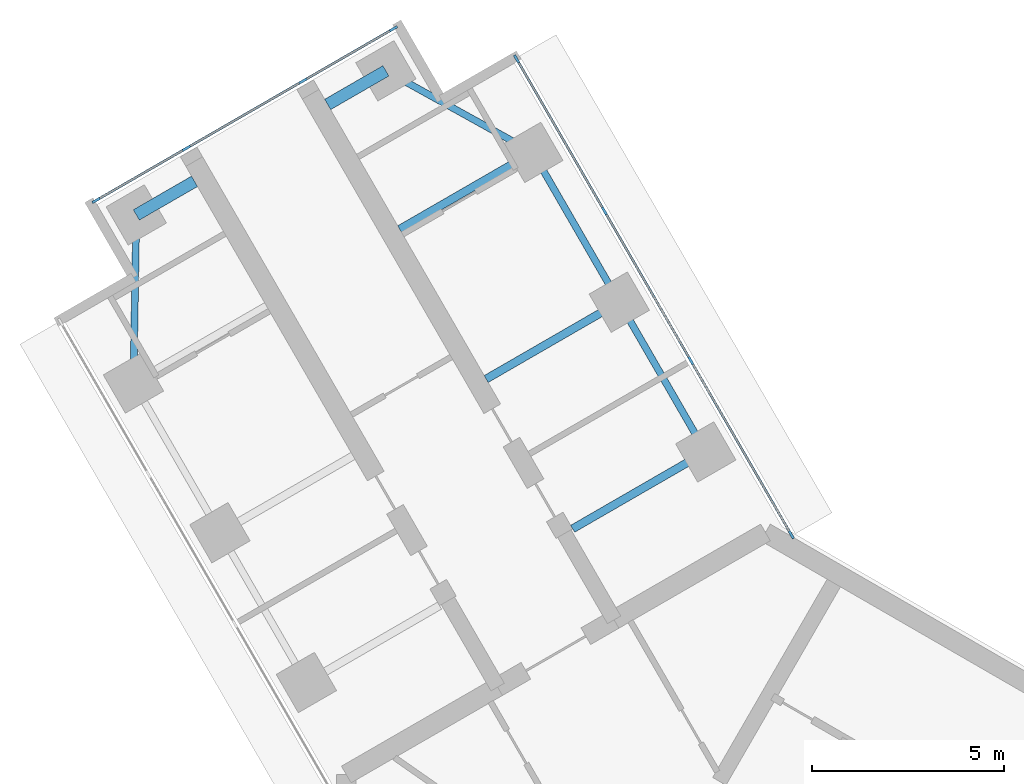
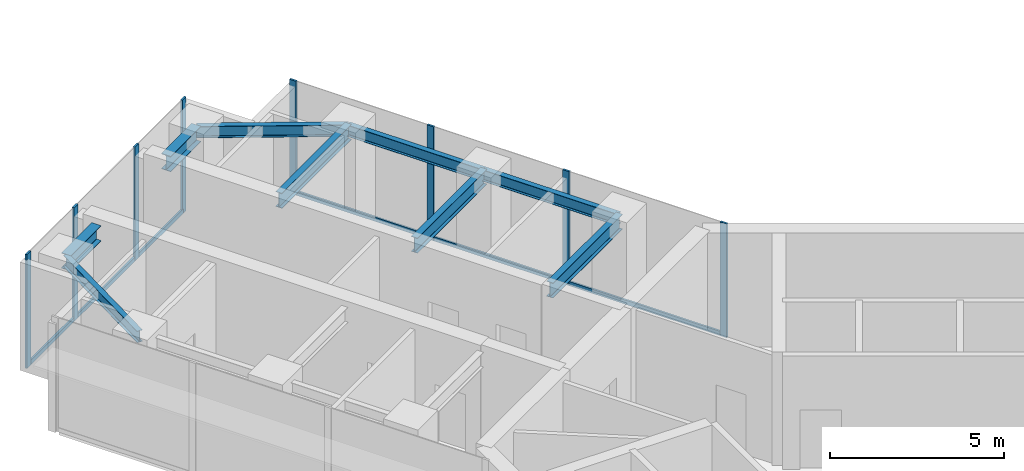
# One storey, part 6 of 17: 14 members, 9 beams, 2 elements without a shape of their own.
"""IFC4 building model written with IfcOpenShell, lengths in metres."""

from ifc_helpers import new_model, si_unit, direction, frame, origin, origin_2d, place, context, subcontext, project, spatial, rectangle, i_section, extrude, material, material_profile, profile_set, type_object, element, aggregate, save


model = new_model("IFC4")

# Units and contexts
model_context = context("Model", 3, precision=1e-05, world=origin(), true_north=direction((0.0, 1.0)))
body_context = subcontext(model_context, "Body", "Model", "MODEL_VIEW")
ifc_project = project(units=[si_unit("LENGTHUNIT", "METRE"), si_unit("AREAUNIT", "SQUARE_METRE"), si_unit("VOLUMEUNIT", "CUBIC_METRE"), si_unit("PLANEANGLEUNIT", "RADIAN"), si_unit("MASSUNIT", "GRAM", prefix="KILO")], contexts=[model_context])

# Site, building, storey
site_placement = place(None, origin())
site = spatial("IfcSite", under=ifc_project, at=site_placement, CompositionType="ELEMENT")
building_placement = place(site_placement, origin())
building = spatial("IfcBuilding", under=site, at=building_placement, Name="Upepo Twin Towers", CompositionType="ELEMENT")
storey_placement = place(building_placement, frame((0.0, 0.0, 206.5)))
storey = spatial("IfcBuildingStorey", under=building, at=storey_placement, Name="L50", CompositionType="ELEMENT", Elevation=206.5)

# Beams
ifc_material_1 = material(Name="Steel S355", Category="steel")
ifc_material_profile_1 = material_profile(ifc_material_1, i_section(OverallWidth=0.177978515625, OverallDepth=0.406494140625, WebThickness=0.0078125, FlangeThickness=0.0126953125, FilletRadius=0.01025390625, at=origin_2d()), Name="UB 406x178x60")
ifc_profile_set_1 = profile_set([ifc_material_profile_1], Name="Steel S355")
beam_type_1 = type_object("IfcBeamType", Name="Beam UB 406x178x60", PredefinedType="BEAM", material=ifc_profile_set_1)
beam_1_placement = place(storey_placement, frame((-16.446044921875, 16.485595703125, 3.5966796875), z_axis=(0.016803880528, 0.999858804832, 0.0), x_axis=(-0.999858804832, 0.016803880528, 0.0)))
element("IfcBeam", 1, at=beam_1_placement, inside=storey, type_object=beam_type_1, Name="T1 nose edge beam BL", PredefinedType="BEAM", context=body_context, shape_type="SweptSolid", body=[
    extrude(i_section(OverallWidth=0.177978515625, OverallDepth=0.406494140625, WebThickness=0.0078125, FlangeThickness=0.0126953125, FilletRadius=0.01025390625, at=origin_2d()), origin(), (0.0, 0.0, 1.0), 4.373291015625),
])
beam_2_placement = place(storey_placement, frame((-1.553955078125, 14.69140625, 3.5966796875), z_axis=(-0.500013631625, 0.866017533419, 0.0), x_axis=(-0.866017533419, -0.500013631625, 0.0)))
element("IfcBeam", 2, at=beam_2_placement, inside=storey, type_object=beam_type_1, Name="T1 edge beam BR 13.5-18.0", PredefinedType="BEAM", context=body_context, shape_type="SweptSolid", body=[
    extrude(i_section(OverallWidth=0.177978515625, OverallDepth=0.406494140625, WebThickness=0.0078125, FlangeThickness=0.0126953125, FilletRadius=0.01025390625, at=origin_2d()), origin(), (0.0, 0.0, 1.0), 4.499755859375),
])
beam_3_placement = place(storey_placement, frame((-3.803955078125, 18.58837890625, 3.5966796875), z_axis=(-0.499990139034, 0.866031096941, 0.0), x_axis=(-0.866031096941, -0.499990139034, 0.0)))
element("IfcBeam", 3, at=beam_3_placement, inside=storey, type_object=beam_type_1, Name="T1 edge beam BR 18.0-22.5", PredefinedType="BEAM", context=body_context, shape_type="SweptSolid", body=[
    extrude(i_section(OverallWidth=0.177978515625, OverallDepth=0.406494140625, WebThickness=0.0078125, FlangeThickness=0.0126953125, FilletRadius=0.01025390625, at=origin_2d()), origin(), (0.0, 0.0, 1.0), 4.5),
])
beam_4_placement = place(storey_placement, frame((-6.053955078125, 22.485595703125, 3.5966796875), z_axis=(-0.874312600038, 0.485363242752, 0.0), x_axis=(-0.485363242752, -0.874312600038, 0.0)))
element("IfcBeam", 4, at=beam_4_placement, inside=storey, type_object=beam_type_1, Name="T1 nose edge beam BR", PredefinedType="BEAM", context=body_context, shape_type="SweptSolid", body=[
    extrude(i_section(OverallWidth=0.177978515625, OverallDepth=0.406494140625, WebThickness=0.0078125, FlangeThickness=0.0126953125, FilletRadius=0.01025390625, at=origin_2d()), origin(), (0.0, 0.0, 1.0), 4.373046875),
])
ifc_material_2 = material(Name="Steel S355", Category="steel")
ifc_material_profile_2 = material_profile(ifc_material_2, i_section(OverallWidth=0.209228515625, OverallDepth=0.533203125, WebThickness=0.010009765625, FlangeThickness=0.015625, FilletRadius=0.0126953125, at=origin_2d()), Name="UB 533x210x92")
ifc_profile_set_2 = profile_set([ifc_material_profile_2], Name="Steel S355")
beam_type_2 = type_object("IfcBeamType", Name="Beam UB 533x210x92", PredefinedType="BEAM", material=ifc_profile_set_2)
for number, where, z_axis, x_axis, name in (
    (5, (-1.553955078125, 14.69140625, 3.533447265625), (-0.866026010844, -0.49999894854, 0.0), (0.49999894854, -0.866026010844, 0.0), "T1 girder BR at 13.5"),
    (6, (-3.803955078125, 18.58837890625, 3.533447265625), (-0.866026010844, -0.49999894854, 0.0), (0.49999894854, -0.866026010844, 0.0), "T1 girder BR at 18.0"),
    (7, (-6.053955078125, 22.485595703125, 3.533447265625), (-0.866026010844, -0.49999894854, 0.0), (0.49999894854, -0.866026010844, 0.0), "T1 girder BR at 22.5"),
):
    element("IfcBeam", number, at=place(storey_placement, frame(where, z_axis=z_axis, x_axis=x_axis)), inside=storey, type_object=beam_type_2, Name=name, PredefinedType="BEAM", context=body_context, shape_type="SweptSolid", body=[
        extrude(i_section(OverallWidth=0.209228515625, OverallDepth=0.533203125, WebThickness=0.010009765625, FlangeThickness=0.015625, FilletRadius=0.0126953125, at=origin_2d()), origin(), (0.0, 0.0, 1.0), 4.0),
    ])
ifc_material_3 = material(Name="Steel S355", Category="steel")
ifc_material_profile_3 = material_profile(ifc_material_3, i_section(OverallWidth=0.31201171875, OverallDepth=0.54345703125, WebThickness=0.0126953125, FlangeThickness=0.020263671875, FilletRadius=0.0126953125, at=origin_2d()), Name="UB 533x312x150")
ifc_profile_set_3 = profile_set([ifc_material_profile_3], Name="Steel S355")
beam_type_3 = type_object("IfcBeamType", Name="Beam UB 533x312x150", PredefinedType="BEAM", material=ifc_profile_set_3)
for number, where, z_axis, x_axis, name in (
    (8, (-16.37255859375, 20.858154296875, 3.5283203125), (0.866036909293, 0.499980071345, 0.0), (-0.499980071345, 0.866036909293, 0.0), "T1 nose beam BL"),
    (9, (-9.87744140625, 24.608154296875, 3.5283203125), (-0.866036909293, -0.499980071345, 0.0), (0.499980071345, -0.866036909293, 0.0), "T1 nose beam BR"),
):
    element("IfcBeam", number, at=place(storey_placement, frame(where, z_axis=z_axis, x_axis=x_axis)), inside=storey, type_object=beam_type_3, Name=name, PredefinedType="BEAM", context=body_context, shape_type="SweptSolid", body=[
        extrude(i_section(OverallWidth=0.31201171875, OverallDepth=0.54345703125, WebThickness=0.0126953125, FlangeThickness=0.020263671875, FilletRadius=0.0126953125, at=origin_2d()), origin(), (0.0, 0.0, 1.0), 1.75),
    ])

# Curtain wall, members
ifc_material_4 = material(Name="Aluminium and fritted glass", Category="aluminium")
curtain_wall_type = type_object("IfcCurtainWallType", Name="Tower curtain wall TW3, fritted glass", PredefinedType="NOTDEFINED", material=ifc_material_4)
curtain_wall_1_placement = place(storey_placement, origin())
curtain_wall_1 = element("IfcCurtainWall", 10, at=curtain_wall_1_placement, inside=storey, type_object=curtain_wall_type, Name="T1 L50 wing B flank R curtain wall", PredefinedType="NOTDEFINED")
ifc_material_5 = material(Name="Aluminium mullion", Category="aluminium")
ifc_material_profile_4 = material_profile(ifc_material_5, rectangle(XDim=0.06494140625, YDim=0.22509765625, at=origin_2d()), Name="MULLION 65x225")
ifc_profile_set_4 = profile_set([ifc_material_profile_4], Name="Aluminium mullion")
member_type_1 = type_object("IfcMemberType", Name="Mullion 65x225 TW3", PredefinedType="MULLION", material=ifc_profile_set_4)
member_1_placement = place(storey_placement, frame((-6.4765625, 24.91748046875, 0.0), z_axis=(0.0, 0.0, 1.0), x_axis=(0.866025388469, 0.500000026527, 0.0)))
member_1 = element("IfcMember", 11, at=member_1_placement, type_object=member_type_1, Name="T1 L50 wing B flank R curtain wall mullion 1", PredefinedType="MULLION", context=body_context, shape_type="SweptSolid", body=[
    extrude(rectangle(XDim=0.06494140625, YDim=0.22509765625, at=origin_2d()), origin(), (0.0, 0.0, 1.0), 4.0),
])
member_2_placement = place(storey_placement, frame((-4.192626953125, 20.9619140625, 0.0), z_axis=(0.0, 0.0, 1.0), x_axis=(0.866025388469, 0.500000026527, 0.0)))
member_2 = element("IfcMember", 12, at=member_2_placement, type_object=member_type_1, Name="T1 L50 wing B flank R curtain wall mullion 2", PredefinedType="MULLION", context=body_context, shape_type="SweptSolid", body=[
    extrude(rectangle(XDim=0.06494140625, YDim=0.22509765625, at=origin_2d()), origin(), (0.0, 0.0, 1.0), 4.0),
])
member_3_placement = place(storey_placement, frame((-1.942626953125, 17.06494140625, 0.0), z_axis=(0.0, 0.0, 1.0), x_axis=(0.866025388469, 0.500000026527, 0.0)))
member_3 = element("IfcMember", 13, at=member_3_placement, type_object=member_type_1, Name="T1 L50 wing B flank R curtain wall mullion 3", PredefinedType="MULLION", context=body_context, shape_type="SweptSolid", body=[
    extrude(rectangle(XDim=0.06494140625, YDim=0.22509765625, at=origin_2d()), origin(), (0.0, 0.0, 1.0), 4.0),
])
member_4_placement = place(storey_placement, frame((0.67236328125, 12.53515625, 0.0), z_axis=(0.0, 0.0, 1.0), x_axis=(0.866025388469, 0.500000026527, 0.0)))
member_4 = element("IfcMember", 14, at=member_4_placement, type_object=member_type_1, Name="T1 L50 wing B flank R curtain wall mullion 4", PredefinedType="MULLION", context=body_context, shape_type="SweptSolid", body=[
    extrude(rectangle(XDim=0.06494140625, YDim=0.22509765625, at=origin_2d()), origin(), (0.0, 0.0, 1.0), 4.0),
])

curtain_wall_2_placement = place(storey_placement, origin())
curtain_wall_2 = element("IfcCurtainWall", 15, at=curtain_wall_2_placement, inside=storey, type_object=curtain_wall_type, Name="T1 L50 wing B nose curtain wall", PredefinedType="NOTDEFINED")
member_5_placement = place(storey_placement, frame((-9.68115234375, 25.703125, 0.0), z_axis=(0.0, 0.0, 1.0), x_axis=(0.500000030502, -0.866025386174, 0.0)))
member_5 = element("IfcMember", 16, at=member_5_placement, type_object=member_type_1, Name="T1 L50 wing B nose curtain wall mullion 1", PredefinedType="MULLION", context=body_context, shape_type="SweptSolid", body=[
    extrude(rectangle(XDim=0.06494140625, YDim=0.22509765625, at=origin_2d()), origin(), (0.0, 0.0, 1.0), 4.0),
])
member_6_placement = place(storey_placement, frame((-12.034423828125, 24.34423828125, 0.0), z_axis=(0.0, 0.0, 1.0), x_axis=(0.500000030502, -0.866025386174, 0.0)))
member_6 = element("IfcMember", 17, at=member_6_placement, type_object=member_type_1, Name="T1 L50 wing B nose curtain wall mullion 2", PredefinedType="MULLION", context=body_context, shape_type="SweptSolid", body=[
    extrude(rectangle(XDim=0.06494140625, YDim=0.22509765625, at=origin_2d()), origin(), (0.0, 0.0, 1.0), 4.0),
])
member_7_placement = place(storey_placement, frame((-15.0654296875, 22.59423828125, 0.0), z_axis=(0.0, 0.0, 1.0), x_axis=(0.500000030502, -0.866025386174, 0.0)))
member_7 = element("IfcMember", 18, at=member_7_placement, type_object=member_type_1, Name="T1 L50 wing B nose curtain wall mullion 3", PredefinedType="MULLION", context=body_context, shape_type="SweptSolid", body=[
    extrude(rectangle(XDim=0.06494140625, YDim=0.22509765625, at=origin_2d()), origin(), (0.0, 0.0, 1.0), 4.0),
])
member_8_placement = place(storey_placement, frame((-17.4189453125, 21.235595703125, 0.0), z_axis=(0.0, 0.0, 1.0), x_axis=(0.500000030502, -0.866025386174, 0.0)))
member_8 = element("IfcMember", 19, at=member_8_placement, type_object=member_type_1, Name="T1 L50 wing B nose curtain wall mullion 4", PredefinedType="MULLION", context=body_context, shape_type="SweptSolid", body=[
    extrude(rectangle(XDim=0.06494140625, YDim=0.22509765625, at=origin_2d()), origin(), (0.0, 0.0, 1.0), 4.0),
])

# Member
ifc_material_6 = material(Name="Aluminium transom", Category="aluminium")
ifc_material_profile_5 = material_profile(ifc_material_6, rectangle(XDim=0.06494140625, YDim=0.14990234375, at=origin_2d()), Name="TRANSOM 65x150")
ifc_profile_set_5 = profile_set([ifc_material_profile_5], Name="Aluminium transom")
member_type_2 = type_object("IfcMemberType", Name="Transom 65x150 TW3", PredefinedType="USERDEFINED", material=ifc_profile_set_5)
member_9_placement = place(storey_placement, frame((-6.460205078125, 24.889404296875, 0.074951171875), z_axis=(0.500005646842, -0.866022143554, 0.0), x_axis=(0.866022143554, 0.500005646842, 0.0)))
member_9 = element("IfcMember", 20, at=member_9_placement, type_object=member_type_2, Name="T1 L50 wing B flank R curtain wall transom 1", ObjectType="TRANSOM", PredefinedType="USERDEFINED", context=body_context, shape_type="SweptSolid", body=[
    extrude(rectangle(XDim=0.06494140625, YDim=0.14990234375, at=origin_2d()), origin(), (0.0, 0.0, 1.0), 4.50244140625),
])

member_10_placement = place(storey_placement, frame((-4.176513671875, 20.933837890625, 0.074951171875), z_axis=(0.500005184116, -0.866022410713, 0.0), x_axis=(0.866022410713, 0.500005184116, 0.0)))
member_10 = element("IfcMember", 21, at=member_10_placement, type_object=member_type_2, Name="T1 L50 wing B flank R curtain wall transom 2", ObjectType="TRANSOM", PredefinedType="USERDEFINED", context=body_context, shape_type="SweptSolid", body=[
    extrude(rectangle(XDim=0.06494140625, YDim=0.14990234375, at=origin_2d()), origin(), (0.0, 0.0, 1.0), 4.43505859375),
])

member_11_placement = place(storey_placement, frame((-1.926513671875, 17.036865234375, 0.074951171875), z_axis=(0.500007480159, -0.86602108507, 0.0), x_axis=(0.86602108507, 0.500007480159, 0.0)))
member_11 = element("IfcMember", 22, at=member_11_placement, type_object=member_type_2, Name="T1 L50 wing B flank R curtain wall transom 3", ObjectType="TRANSOM", PredefinedType="USERDEFINED", context=body_context, shape_type="SweptSolid", body=[
    extrude(rectangle(XDim=0.06494140625, YDim=0.14990234375, at=origin_2d()), origin(), (0.0, 0.0, 1.0), 5.16552734375),
])

aggregate(curtain_wall_1, [member_1, member_2, member_3, member_4, member_9, member_10, member_11])

member_12_placement = place(storey_placement, frame((-9.709228515625, 25.686767578125, 0.074951171875), z_axis=(-0.866036909293, -0.499980071345, 0.0), x_axis=(0.499980071345, -0.866036909293, 0.0)))
member_12 = element("IfcMember", 23, at=member_12_placement, type_object=member_type_2, Name="T1 L50 wing B nose curtain wall transom 1", ObjectType="TRANSOM", PredefinedType="USERDEFINED", context=body_context, shape_type="SweptSolid", body=[
    extrude(rectangle(XDim=0.06494140625, YDim=0.14990234375, at=origin_2d()), origin(), (0.0, 0.0, 1.0), 2.65234375),
])

member_13_placement = place(storey_placement, frame((-12.0625, 24.328125, 0.074951171875), z_axis=(-0.866025804792, -0.499999305434, 0.0), x_axis=(0.499999305434, -0.866025804792, 0.0)))
member_13 = element("IfcMember", 24, at=member_13_placement, type_object=member_type_2, Name="T1 L50 wing B nose curtain wall transom 2", ObjectType="TRANSOM", PredefinedType="USERDEFINED", context=body_context, shape_type="SweptSolid", body=[
    extrude(rectangle(XDim=0.06494140625, YDim=0.14990234375, at=origin_2d()), origin(), (0.0, 0.0, 1.0), 3.43505859375),
])

member_14_placement = place(storey_placement, frame((-15.09375, 22.578125, 0.074951171875), z_axis=(-0.865997053448, -0.500049101008, 0.0), x_axis=(0.500049101008, -0.865997053448, 0.0)))
member_14 = element("IfcMember", 25, at=member_14_placement, type_object=member_type_2, Name="T1 L50 wing B nose curtain wall transom 3", ObjectType="TRANSOM", PredefinedType="USERDEFINED", context=body_context, shape_type="SweptSolid", body=[
    extrude(rectangle(XDim=0.06494140625, YDim=0.14990234375, at=origin_2d()), origin(), (0.0, 0.0, 1.0), 2.652587890625),
])

aggregate(curtain_wall_2, [member_5, member_6, member_7, member_8, member_12, member_13, member_14])

save(model, "model.ifc")
